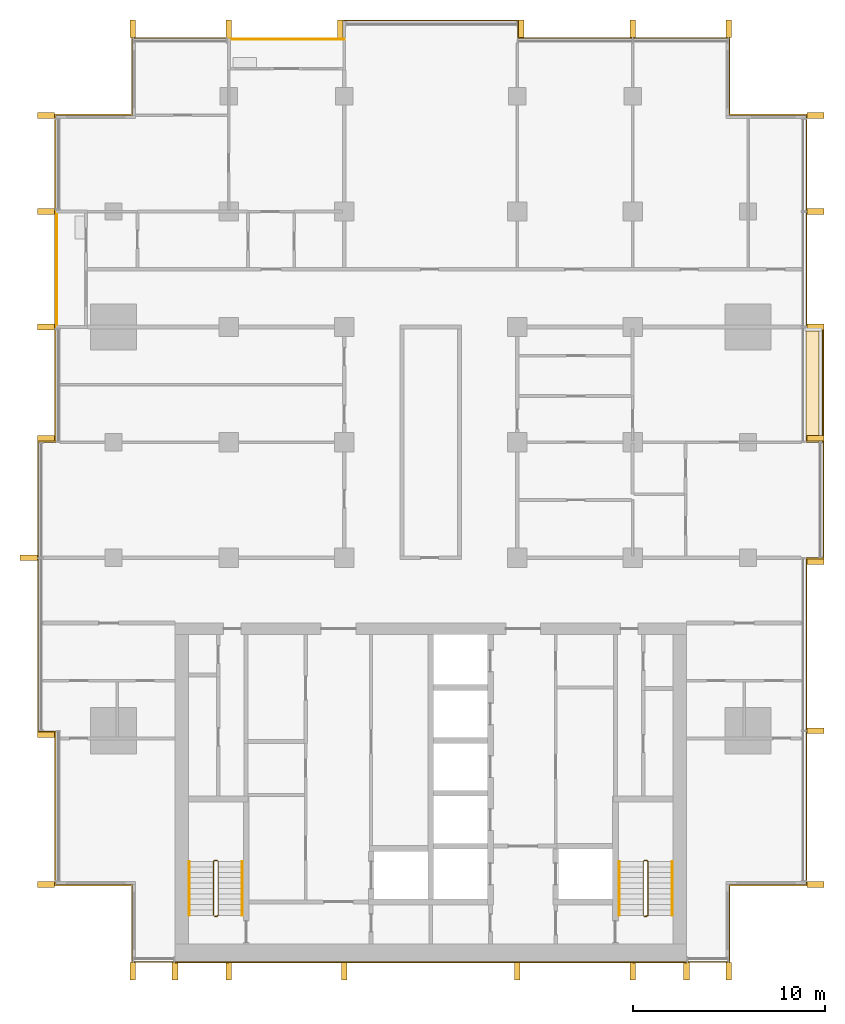
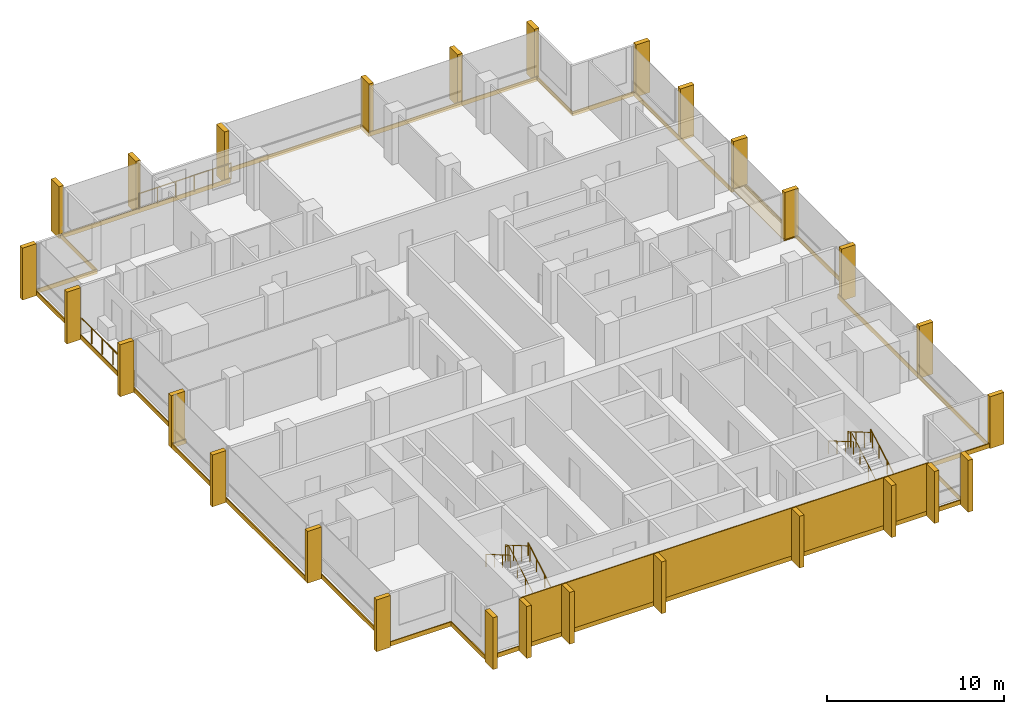
# One storey, part 16 of 16: 28 shading devices, 8 coverings, 8 railings.
"""IFC4 building model written with IfcOpenShell, lengths in metres."""

from ifc_helpers import new_model, si_unit, direction, frame, origin, origin_2d, place, context, subcontext, project, spatial, polyline, rectangle, circle, outline, extrude, material, layer, layer_set, type_object, element, save


model = new_model("IFC4")

# Units and contexts
model_context = context("Model", 3, precision=1e-05, world=origin(), true_north=direction((0.0, 1.0)))
body_context = subcontext(model_context, "Body", "Model", "MODEL_VIEW")
ifc_project = project(units=[si_unit("LENGTHUNIT", "METRE"), si_unit("AREAUNIT", "SQUARE_METRE"), si_unit("VOLUMEUNIT", "CUBIC_METRE"), si_unit("PLANEANGLEUNIT", "RADIAN"), si_unit("MASSUNIT", "GRAM", prefix="KILO")], contexts=[model_context])

# Site, building, storey
site_placement = place(None, origin())
site = spatial("IfcSite", under=ifc_project, at=site_placement, CompositionType="ELEMENT")
building_placement = place(site_placement, origin())
building = spatial("IfcBuilding", under=site, at=building_placement, Name="Finial Court Residences", CompositionType="ELEMENT")
storey_placement = place(building_placement, frame((0.0, 0.0, 185.300048828125)))
storey = spatial("IfcBuildingStorey", under=building, at=storey_placement, Name="L46", CompositionType="ELEMENT", Elevation=185.300048828125)

# Railings
ifc_material_1 = material(Name="Bronze anodised aluminium", Category="aluminium")
railing_type_1 = type_object("IfcRailingType", Name="Balcony guard 1100", PredefinedType="GUARDRAIL", material=ifc_material_1)
railing_1_placement = place(storey_placement, frame((-10.5, 22.449951171875, 0.0)))
element("IfcRailing", 1, at=railing_1_placement, inside=storey, type_object=railing_type_1, Name="E-L46-BALN2-R", PredefinedType="GUARDRAIL", context=body_context, shape_type="SweptSolid", body=[
    extrude(circle(Radius=0.02392578125, at=origin_2d()), frame((0.0, 0.0, 1.076171875), z_axis=(1.0, 0.0, 0.0), x_axis=(0.0, 1.0, 0.0)), (0.0, 0.0, 1.0), 6.0),
    extrude(circle(Radius=0.02099609375, at=origin_2d()), origin(), (0.0, 0.0, 1.0), 1.052001953125),
    extrude(circle(Radius=0.02099609375, at=origin_2d()), frame((1.199951171875, 0.0, 0.0)), (0.0, 0.0, 1.0), 1.052001953125),
    extrude(circle(Radius=0.02099609375, at=origin_2d()), frame((2.39990234375, 0.0, 0.0)), (0.0, 0.0, 1.0), 1.052001953125),
    extrude(circle(Radius=0.02099609375, at=origin_2d()), frame((3.60009765625, 0.0, 0.0)), (0.0, 0.0, 1.0), 1.052001953125),
    extrude(circle(Radius=0.02099609375, at=origin_2d()), frame((4.800048828125, 0.0, 0.0)), (0.0, 0.0, 1.0), 1.052001953125),
    extrude(circle(Radius=0.02099609375, at=origin_2d()), frame((6.0, 0.0, 0.0)), (0.0, 0.0, 1.0), 1.052001953125),
])
railing_2_placement = place(storey_placement, frame((-19.449951171875, 7.5, 0.0)))
element("IfcRailing", 2, at=railing_2_placement, inside=storey, type_object=railing_type_1, Name="E-L46-BALW5-R", PredefinedType="GUARDRAIL", context=body_context, shape_type="SweptSolid", body=[
    extrude(circle(Radius=0.02392578125, at=origin_2d()), frame((0.0, 0.0, 1.076171875), z_axis=(0.0, 1.0, 0.0), x_axis=(-1.0, 0.0, 0.0)), (0.0, 0.0, 1.0), 6.0),
    extrude(circle(Radius=0.02099609375, at=origin_2d()), origin(), (0.0, 0.0, 1.0), 1.052001953125),
    extrude(circle(Radius=0.02099609375, at=origin_2d()), frame((0.0, 1.199951171875, 0.0)), (0.0, 0.0, 1.0), 1.052001953125),
    extrude(circle(Radius=0.02099609375, at=origin_2d()), frame((0.0, 2.39990234375, 0.0)), (0.0, 0.0, 1.0), 1.052001953125),
    extrude(circle(Radius=0.02099609375, at=origin_2d()), frame((0.0, 3.60009765625, 0.0)), (0.0, 0.0, 1.0), 1.052001953125),
    extrude(circle(Radius=0.02099609375, at=origin_2d()), frame((0.0, 4.800048828125, 0.0)), (0.0, 0.0, 1.0), 1.052001953125),
    extrude(circle(Radius=0.02099609375, at=origin_2d()), frame((0.0, 6.0, 0.0)), (0.0, 0.0, 1.0), 1.052001953125),
])

# Coverings
ifc_material_2 = material(Name="Natural limestone", Category="masonry")
ifc_layer_1 = layer(ifc_material_2, 0.06005859375)
ifc_layer_set_1 = layer_set([ifc_layer_1], Name="Limestone cladding to the blind core face 60")
covering_type_1 = type_object("IfcCoveringType", Name="Limestone cladding to the blind core face 60", PredefinedType="CLADDING", material=ifc_layer_set_1)
covering_1_placement = place(storey_placement, origin())
element("IfcCovering", 3, at=covering_1_placement, inside=storey, type_object=covering_type_1, Name="E-L46-CLAD1", PredefinedType="CLADDING", context=body_context, shape_type="SweptSolid", body=[
    extrude(outline(polyline([(-10.5, -25.56005859375), (-10.5, -25.5), (-13.300048828125, -25.5), (-13.300048828125, -25.56005859375), (-10.5, -25.56005859375)])), origin(), (0.0, 0.0, 1.0), 3.300048828125),
])
covering_2_placement = place(storey_placement, origin())
element("IfcCovering", 4, at=covering_2_placement, inside=storey, type_object=covering_type_1, Name="E-L46-CLAD2", PredefinedType="CLADDING", context=body_context, shape_type="SweptSolid", body=[
    extrude(outline(polyline([(-4.5, -25.56005859375), (-4.5, -25.5), (-10.5, -25.5), (-10.5, -25.56005859375), (-4.5, -25.56005859375)])), origin(), (0.0, 0.0, 1.0), 3.300048828125),
])
covering_3_placement = place(storey_placement, origin())
element("IfcCovering", 5, at=covering_3_placement, inside=storey, type_object=covering_type_1, Name="E-L46-CLAD3", PredefinedType="CLADDING", context=body_context, shape_type="SweptSolid", body=[
    extrude(outline(polyline([(4.5, -25.56005859375), (4.5, -25.5), (-4.5, -25.5), (-4.5, -25.56005859375), (4.5, -25.56005859375)])), origin(), (0.0, 0.0, 1.0), 3.300048828125),
])
covering_4_placement = place(storey_placement, origin())
element("IfcCovering", 6, at=covering_4_placement, inside=storey, type_object=covering_type_1, Name="E-L46-CLAD4", PredefinedType="CLADDING", context=body_context, shape_type="SweptSolid", body=[
    extrude(outline(polyline([(10.5, -25.56005859375), (10.5, -25.5), (4.5, -25.5), (4.5, -25.56005859375), (10.5, -25.56005859375)])), origin(), (0.0, 0.0, 1.0), 3.300048828125),
])
covering_5_placement = place(storey_placement, origin())
element("IfcCovering", 7, at=covering_5_placement, inside=storey, type_object=covering_type_1, Name="E-L46-CLAD5", PredefinedType="CLADDING", context=body_context, shape_type="SweptSolid", body=[
    extrude(outline(polyline([(13.300048828125, -25.56005859375), (13.300048828125, -25.5), (10.5, -25.5), (10.5, -25.56005859375), (13.300048828125, -25.56005859375)])), origin(), (0.0, 0.0, 1.0), 3.300048828125),
])

# Shading devices
shading_device_type = type_object("IfcShadingDeviceType", Name="Limestone fin 300 x 900", PredefinedType="USERDEFINED", material=ifc_material_2)
for number, where, z_axis, x_axis, name in (
    (8, (-15.5, 23.010009765625, -0.300048828125), (0.0, 0.0, 1.0), (1.0, 0.0, 0.0), "E-L46-FIN-N1"),
    (9, (-10.5, 23.010009765625, -0.300048828125), (0.0, 0.0, 1.0), (1.0, 0.0, 0.0), "E-L46-FIN-N2"),
    (10, (-4.7099609375, 23.010009765625, -0.300048828125), (0.0, 0.0, 1.0), (1.0, 0.0, 0.0), "E-L46-FIN-N3"),
    (11, (4.7099609375, 23.010009765625, -0.300048828125), (0.0, 0.0, 1.0), (1.0, 0.0, 0.0), "E-L46-FIN-N4"),
    (12, (10.5, 23.010009765625, -0.300048828125), (0.0, 0.0, 1.0), (1.0, 0.0, 0.0), "E-L46-FIN-N5"),
    (13, (15.5, 23.010009765625, -0.300048828125), (0.0, 0.0, 1.0), (1.0, 0.0, 0.0), "E-L46-FIN-N6"),
):
    element("IfcShadingDevice", number, at=place(storey_placement, frame(where, z_axis=z_axis, x_axis=x_axis)), inside=storey, type_object=shading_device_type, Name=name, ObjectType="FIN", PredefinedType="USERDEFINED", context=body_context, shape_type="SweptSolid", body=[
        extrude(rectangle(XDim=0.300048828125, YDim=0.89990234375, at=origin_2d()), origin(), (0.0, 0.0, 1.0), 3.580078125),
    ])
for number, where, z_axis, x_axis, name in (
    (14, (20.010009765625, -21.5, -0.300048828125), (0.0, 0.0, 1.0), (1.0, 0.0, 0.0), "E-L46-FIN-E7"),
    (15, (20.010009765625, -13.5, -0.300048828125), (0.0, 0.0, 1.0), (1.0, 0.0, 0.0), "E-L46-FIN-E8"),
    (16, (20.010009765625, -4.7099609375, -0.300048828125), (0.0, 0.0, 1.0), (1.0, 0.0, 0.0), "E-L46-FIN-E9"),
):
    element("IfcShadingDevice", number, at=place(storey_placement, frame(where, z_axis=z_axis, x_axis=x_axis)), inside=storey, type_object=shading_device_type, Name=name, ObjectType="FIN", PredefinedType="USERDEFINED", context=body_context, shape_type="SweptSolid", body=[
        extrude(rectangle(XDim=0.89990234375, YDim=0.300048828125, at=origin_2d()), origin(), (0.0, 0.0, 1.0), 3.580078125),
    ])
for number, where, z_axis, x_axis, name in (
    (17, (20.010009765625, 1.7099609375, 0.0400390625), (0.0, 0.0, 1.0), (1.0, 0.0, 0.0), "E-L46-FIN-E10"),
    (18, (20.010009765625, 7.5, 0.0400390625), (0.0, 0.0, 1.0), (1.0, 0.0, 0.0), "E-L46-FIN-E11"),
):
    element("IfcShadingDevice", number, at=place(storey_placement, frame(where, z_axis=z_axis, x_axis=x_axis)), inside=storey, type_object=shading_device_type, Name=name, ObjectType="FIN", PredefinedType="USERDEFINED", context=body_context, shape_type="SweptSolid", body=[
        extrude(rectangle(XDim=0.89990234375, YDim=0.300048828125, at=origin_2d()), origin(), (0.0, 0.0, 1.0), 3.239990234375),
    ])
for number, where, z_axis, x_axis, name in (
    (19, (20.010009765625, 13.5, -0.300048828125), (0.0, 0.0, 1.0), (1.0, 0.0, 0.0), "E-L46-FIN-E12"),
    (20, (20.010009765625, 18.5, -0.300048828125), (0.0, 0.0, 1.0), (1.0, 0.0, 0.0), "E-L46-FIN-E13"),
):
    element("IfcShadingDevice", number, at=place(storey_placement, frame(where, z_axis=z_axis, x_axis=x_axis)), inside=storey, type_object=shading_device_type, Name=name, ObjectType="FIN", PredefinedType="USERDEFINED", context=body_context, shape_type="SweptSolid", body=[
        extrude(rectangle(XDim=0.89990234375, YDim=0.300048828125, at=origin_2d()), origin(), (0.0, 0.0, 1.0), 3.580078125),
    ])
for number, where, z_axis, x_axis, name in (
    (21, (-15.5, -26.010009765625, -0.300048828125), (0.0, 0.0, 1.0), (1.0, 0.0, 0.0), "E-L46-FIN-S14"),
    (22, (-13.300048828125, -26.010009765625, -0.300048828125), (0.0, 0.0, 1.0), (1.0, 0.0, 0.0), "E-L46-FIN-S15"),
    (23, (-10.5, -26.010009765625, -0.300048828125), (0.0, 0.0, 1.0), (1.0, 0.0, 0.0), "E-L46-FIN-S16"),
    (24, (-4.5, -26.010009765625, -0.300048828125), (0.0, 0.0, 1.0), (1.0, 0.0, 0.0), "E-L46-FIN-S17"),
    (25, (4.5, -26.010009765625, -0.300048828125), (0.0, 0.0, 1.0), (1.0, 0.0, 0.0), "E-L46-FIN-S18"),
    (26, (10.5, -26.010009765625, -0.300048828125), (0.0, 0.0, 1.0), (1.0, 0.0, 0.0), "E-L46-FIN-S19"),
    (27, (13.300048828125, -26.010009765625, -0.300048828125), (0.0, 0.0, 1.0), (1.0, 0.0, 0.0), "E-L46-FIN-S20"),
    (28, (15.5, -26.010009765625, -0.300048828125), (0.0, 0.0, 1.0), (1.0, 0.0, 0.0), "E-L46-FIN-S21"),
):
    element("IfcShadingDevice", number, at=place(storey_placement, frame(where, z_axis=z_axis, x_axis=x_axis)), inside=storey, type_object=shading_device_type, Name=name, ObjectType="FIN", PredefinedType="USERDEFINED", context=body_context, shape_type="SweptSolid", body=[
        extrude(rectangle(XDim=0.300048828125, YDim=0.89990234375, at=origin_2d()), origin(), (0.0, 0.0, 1.0), 3.580078125),
    ])
for number, where, z_axis, x_axis, name in (
    (29, (-20.010009765625, -21.5, -0.300048828125), (0.0, 0.0, 1.0), (1.0, 0.0, 0.0), "E-L46-FIN-W22"),
    (30, (-20.010009765625, -13.7099609375, -0.300048828125), (0.0, 0.0, 1.0), (1.0, 0.0, 0.0), "E-L46-FIN-W23"),
    (31, (-20.909912109375, -4.5, -0.300048828125), (0.0, 0.0, 1.0), (1.0, 0.0, 0.0), "E-L46-FIN-W24"),
    (32, (-20.010009765625, 1.7099609375, -0.300048828125), (0.0, 0.0, 1.0), (1.0, 0.0, 0.0), "E-L46-FIN-W25"),
    (33, (-20.010009765625, 7.5, -0.300048828125), (0.0, 0.0, 1.0), (1.0, 0.0, 0.0), "E-L46-FIN-W26"),
    (34, (-20.010009765625, 13.5, -0.300048828125), (0.0, 0.0, 1.0), (1.0, 0.0, 0.0), "E-L46-FIN-W27"),
    (35, (-20.010009765625, 18.5, -0.300048828125), (0.0, 0.0, 1.0), (1.0, 0.0, 0.0), "E-L46-FIN-W28"),
):
    element("IfcShadingDevice", number, at=place(storey_placement, frame(where, z_axis=z_axis, x_axis=x_axis)), inside=storey, type_object=shading_device_type, Name=name, ObjectType="FIN", PredefinedType="USERDEFINED", context=body_context, shape_type="SweptSolid", body=[
        extrude(rectangle(XDim=0.89990234375, YDim=0.300048828125, at=origin_2d()), origin(), (0.0, 0.0, 1.0), 3.580078125),
    ])

# Coverings
ifc_material_3 = material(Name="Pale limestone", Category="masonry")
ifc_layer_2 = layer(ifc_material_3, 0.06005859375)
ifc_layer_set_2 = layer_set([ifc_layer_2], Name="Pale limestone slab-edge band 60")
covering_type_2 = type_object("IfcCoveringType", Name="Pale limestone slab-edge band 60", PredefinedType="CLADDING", material=ifc_layer_set_2)
covering_6_placement = place(storey_placement, frame((0.0, 0.0, -0.300048828125)))
element("IfcCovering", 36, at=covering_6_placement, inside=storey, type_object=covering_type_2, Name="E-L46-BAND1", PredefinedType="CLADDING", context=body_context, shape_type="SweptSolid", body=[
    extrude(outline(polyline([(-19.56005859375, 18.56005859375), (-15.56005859375, 18.56005859375), (-15.56005859375, 22.56005859375), (-4.56005859375, 22.56005859375), (-4.56005859375, 23.4599609375), (4.56005859375, 23.4599609375), (4.56005859375, 22.56005859375), (15.56005859375, 22.56005859375), (15.56005859375, 18.56005859375), (19.56005859375, 18.56005859375), (19.56005859375, 7.56005859375), (20.4599609375, 7.56005859375), (20.4599609375, -4.56005859375), (19.56005859375, -4.56005859375), (19.56005859375, -21.56005859375), (15.56005859375, -21.56005859375), (15.56005859375, -25.56005859375), (-15.56005859375, -25.56005859375), (-15.56005859375, -21.56005859375), (-19.56005859375, -21.56005859375), (-19.56005859375, -13.56005859375), (-20.4599609375, -13.56005859375), (-20.4599609375, 1.56005859375), (-19.56005859375, 1.56005859375), (-19.56005859375, 18.56005859375)]), holes=[polyline([(-20.39990234375, 1.5), (-20.39990234375, -4.5), (-20.39990234375, -13.5), (-19.5, -13.5), (-19.5, -21.5), (-15.5, -21.5), (-15.5, -25.5), (15.5, -25.5), (15.5, -21.5), (19.5, -21.5), (19.5, -4.5), (20.39990234375, -4.5), (20.39990234375, 1.5), (20.39990234375, 7.5), (19.5, 7.5), (19.5, 18.5), (15.5, 18.5), (15.5, 22.5), (4.5, 22.5), (4.5, 23.39990234375), (-4.5, 23.39990234375), (-4.5, 22.5), (-10.5, 22.5), (-15.5, 22.5), (-15.5, 18.5), (-19.5, 18.5), (-19.5, 13.5), (-19.5, 7.5), (-19.5, 1.5), (-20.39990234375, 1.5)])]), origin(), (0.0, 0.0, 1.0), 0.300048828125),
])
ifc_material_4 = material(Name="Bitumen membrane")
ifc_layer_3 = layer(ifc_material_4, 0.0400390625)
ifc_layer_set_3 = layer_set([ifc_layer_3], Name="Push box roofing, bitumen membrane 40")
covering_type_3 = type_object("IfcCoveringType", Name="Push box roofing, bitumen membrane 40", PredefinedType="ROOFING", material=ifc_layer_set_3)
covering_7_placement = place(storey_placement, origin())
element("IfcCovering", 37, at=covering_7_placement, inside=storey, type_object=covering_type_3, Name="E-L46-LED1", PredefinedType="ROOFING", context=body_context, shape_type="SweptSolid", body=[
    extrude(outline(polyline([(19.5, 7.300048828125), (20.199951171875, 7.300048828125), (20.199951171875, 1.5), (19.5, 1.5), (19.5, 7.300048828125)])), origin(), (0.0, 0.0, 1.0), 0.0400390625),
])
covering_8_placement = place(storey_placement, origin())
element("IfcCovering", 38, at=covering_8_placement, inside=storey, type_object=covering_type_3, Name="E-L46-LED1b", PredefinedType="ROOFING", context=body_context, shape_type="SweptSolid", body=[
    extrude(outline(polyline([(19.5, 7.5), (20.39990234375, 7.5), (20.39990234375, 1.5), (20.35009765625, 1.5), (20.35009765625, 7.300048828125), (20.35009765625, 7.300048828125), (20.35009765625, 7.449951171875), (19.5, 7.449951171875), (19.5, 7.5)])), origin(), (0.0, 0.0, 1.0), 0.0400390625),
])

# Railings
ifc_material_5 = material(Name="Stainless steel railing", Category="steel")
railing_type_2 = type_object("IfcRailingType", Name="Stair guard 1100", PredefinedType="GUARDRAIL", material=ifc_material_5)
railing_3_placement = place(storey_placement, frame((-11.10009765625, -23.14990234375, 0.0)))
element("IfcRailing", 39, at=railing_3_placement, inside=storey, type_object=railing_type_2, Name="L46 ST-1 stair guard 1", PredefinedType="GUARDRAIL", context=body_context, shape_type="SweptSolid", body=[
    extrude(circle(Radius=0.02392578125, at=origin_2d()), frame((0.0, 0.0, 1.076171875), z_axis=(-1.0, 0.0, 0.0), x_axis=(0.0, -1.0, 0.0)), (0.0, 0.0, 1.0), 0.14990234375),
    extrude(circle(Radius=0.02392578125, at=origin_2d()), frame((-0.14990234375, 0.0, 1.076171875), z_axis=(0.760004195007, 0.189305074214, 0.621737253547), x_axis=(-0.241699205484, 0.970351222016, 0.0)), (0.0, 0.0, 1.0), 0.26318359375),
    extrude(circle(Radius=0.02392578125, at=origin_2d()), frame((0.050048828125, 0.0498046875, 1.23974609375), z_axis=(0.0, 0.863360870873, 0.504586966384), x_axis=(-1.0, 0.0, 0.0)), (0.0, 0.0, 1.0), 3.2431640625),
    extrude(circle(Radius=0.02392578125, at=origin_2d()), frame((0.050048828125, 2.849853515625, 2.8759765625), z_axis=(-0.707106781187, 0.707106781187, 0.0), x_axis=(-0.707106781187, -0.707106781187, 0.0)), (0.0, 0.0, 1.0), 0.07080078125),
    extrude(circle(Radius=0.02392578125, at=origin_2d()), frame((0.0, 2.89990234375, 2.8759765625), z_axis=(-1.0, 0.0, 0.0), x_axis=(0.0, -1.0, 0.0)), (0.0, 0.0, 1.0), 0.14990234375),
    extrude(circle(Radius=0.02392578125, at=origin_2d()), frame((-0.14990234375, 2.89990234375, 2.8759765625), z_axis=(-0.280808744504, -0.280808744504, 0.917765164963), x_axis=(0.707106781187, -0.707106781187, 0.0)), (0.0, 0.0, 1.0), 0.17822265625),
    extrude(circle(Radius=0.02392578125, at=origin_2d()), frame((-0.199951171875, 2.849853515625, 3.03955078125), z_axis=(0.0, -0.863393664356, 0.504530851732), x_axis=(1.0, 0.0, 0.0)), (0.0, 0.0, 1.0), 3.2431640625),
    extrude(circle(Radius=0.02099609375, at=origin_2d()), origin(), (0.0, 0.0, 1.0), 1.052001953125),
    extrude(circle(Radius=0.02099609375, at=origin_2d()), frame((-0.14990234375, 0.0, 0.0)), (0.0, 0.0, 1.0), 1.052001953125),
    extrude(circle(Radius=0.02099609375, at=origin_2d()), frame((0.050048828125, 0.0498046875, 0.16357421875)), (0.0, 0.0, 1.0), 1.052001953125),
    extrude(circle(Radius=0.02099609375, at=origin_2d()), frame((0.050048828125, 0.983154296875, 0.708984375)), (0.0, 0.0, 1.0), 1.052001953125),
    extrude(circle(Radius=0.02099609375, at=origin_2d()), frame((0.050048828125, 1.91650390625, 1.254638671875)), (0.0, 0.0, 1.0), 1.052001953125),
    extrude(circle(Radius=0.02099609375, at=origin_2d()), frame((0.050048828125, 2.849853515625, 1.800048828125)), (0.0, 0.0, 1.0), 1.052001953125),
    extrude(circle(Radius=0.02099609375, at=origin_2d()), frame((0.0, 2.89990234375, 1.800048828125)), (0.0, 0.0, 1.0), 1.052001953125),
    extrude(circle(Radius=0.02099609375, at=origin_2d()), frame((-0.14990234375, 2.89990234375, 1.800048828125)), (0.0, 0.0, 1.0), 1.052001953125),
    extrude(circle(Radius=0.02099609375, at=origin_2d()), frame((-0.199951171875, 2.849853515625, 1.963623046875)), (0.0, 0.0, 1.0), 1.052001953125),
    extrude(circle(Radius=0.02099609375, at=origin_2d()), frame((-0.199951171875, 1.91650390625, 2.509033203125)), (0.0, 0.0, 1.0), 1.052001953125),
    extrude(circle(Radius=0.02099609375, at=origin_2d()), frame((-0.199951171875, 0.983154296875, 3.054443359375)), (0.0, 0.0, 1.0), 1.052001953125),
    extrude(circle(Radius=0.02099609375, at=origin_2d()), frame((-0.199951171875, 0.0498046875, 3.599853515625)), (0.0, 0.0, 1.0), 1.052001953125),
])
railing_4_placement = place(storey_placement, frame((11.25, -23.14990234375, 0.0)))
element("IfcRailing", 40, at=railing_4_placement, inside=storey, type_object=railing_type_2, Name="L46 ST-2 stair guard 1", PredefinedType="GUARDRAIL", context=body_context, shape_type="SweptSolid", body=[
    extrude(circle(Radius=0.02392578125, at=origin_2d()), frame((0.0, 0.0, 1.076171875), z_axis=(-1.0, 0.0, 0.0), x_axis=(0.0, -1.0, 0.0)), (0.0, 0.0, 1.0), 0.14990234375),
    extrude(circle(Radius=0.02392578125, at=origin_2d()), frame((-0.14990234375, 0.0, 1.076171875), z_axis=(0.760004195007, 0.189305074214, 0.621737253547), x_axis=(-0.241699205484, 0.970351222016, 0.0)), (0.0, 0.0, 1.0), 0.26318359375),
    extrude(circle(Radius=0.02392578125, at=origin_2d()), frame((0.050048828125, 0.0498046875, 1.23974609375), z_axis=(0.0, 0.863360870873, 0.504586966384), x_axis=(-1.0, 0.0, 0.0)), (0.0, 0.0, 1.0), 3.2431640625),
    extrude(circle(Radius=0.02392578125, at=origin_2d()), frame((0.050048828125, 2.849853515625, 2.8759765625), z_axis=(-0.707106781187, 0.707106781187, 0.0), x_axis=(-0.707106781187, -0.707106781187, 0.0)), (0.0, 0.0, 1.0), 0.07080078125),
    extrude(circle(Radius=0.02392578125, at=origin_2d()), frame((0.0, 2.89990234375, 2.8759765625), z_axis=(-1.0, 0.0, 0.0), x_axis=(0.0, -1.0, 0.0)), (0.0, 0.0, 1.0), 0.14990234375),
    extrude(circle(Radius=0.02392578125, at=origin_2d()), frame((-0.14990234375, 2.89990234375, 2.8759765625), z_axis=(-0.280808744504, -0.280808744504, 0.917765164963), x_axis=(0.707106781187, -0.707106781187, 0.0)), (0.0, 0.0, 1.0), 0.17822265625),
    extrude(circle(Radius=0.02392578125, at=origin_2d()), frame((-0.199951171875, 2.849853515625, 3.03955078125), z_axis=(0.0, -0.863393664356, 0.504530851732), x_axis=(1.0, 0.0, 0.0)), (0.0, 0.0, 1.0), 3.2431640625),
    extrude(circle(Radius=0.02099609375, at=origin_2d()), origin(), (0.0, 0.0, 1.0), 1.052001953125),
    extrude(circle(Radius=0.02099609375, at=origin_2d()), frame((-0.14990234375, 0.0, 0.0)), (0.0, 0.0, 1.0), 1.052001953125),
    extrude(circle(Radius=0.02099609375, at=origin_2d()), frame((0.050048828125, 0.0498046875, 0.16357421875)), (0.0, 0.0, 1.0), 1.052001953125),
    extrude(circle(Radius=0.02099609375, at=origin_2d()), frame((0.050048828125, 0.983154296875, 0.708984375)), (0.0, 0.0, 1.0), 1.052001953125),
    extrude(circle(Radius=0.02099609375, at=origin_2d()), frame((0.050048828125, 1.91650390625, 1.254638671875)), (0.0, 0.0, 1.0), 1.052001953125),
    extrude(circle(Radius=0.02099609375, at=origin_2d()), frame((0.050048828125, 2.849853515625, 1.800048828125)), (0.0, 0.0, 1.0), 1.052001953125),
    extrude(circle(Radius=0.02099609375, at=origin_2d()), frame((0.0, 2.89990234375, 1.800048828125)), (0.0, 0.0, 1.0), 1.052001953125),
    extrude(circle(Radius=0.02099609375, at=origin_2d()), frame((-0.14990234375, 2.89990234375, 1.800048828125)), (0.0, 0.0, 1.0), 1.052001953125),
    extrude(circle(Radius=0.02099609375, at=origin_2d()), frame((-0.199951171875, 2.849853515625, 1.963623046875)), (0.0, 0.0, 1.0), 1.052001953125),
    extrude(circle(Radius=0.02099609375, at=origin_2d()), frame((-0.199951171875, 1.91650390625, 2.509033203125)), (0.0, 0.0, 1.0), 1.052001953125),
    extrude(circle(Radius=0.02099609375, at=origin_2d()), frame((-0.199951171875, 0.983154296875, 3.054443359375)), (0.0, 0.0, 1.0), 1.052001953125),
    extrude(circle(Radius=0.02099609375, at=origin_2d()), frame((-0.199951171875, 0.0498046875, 3.599853515625)), (0.0, 0.0, 1.0), 1.052001953125),
])
railing_type_3 = type_object("IfcRailingType", Name="Stair handrail 900", PredefinedType="HANDRAIL", material=ifc_material_5)
railing_5_placement = place(storey_placement, frame((-9.800048828125, -23.10009765625, 0.16357421875)))
element("IfcRailing", 41, at=railing_5_placement, inside=storey, type_object=railing_type_3, Name="L46 ST-1 stair handrail 1", PredefinedType="HANDRAIL", context=body_context, shape_type="SweptSolid", body=[
    extrude(circle(Radius=0.02392578125, at=origin_2d()), frame((0.0, 0.0, 0.8759765625), z_axis=(0.0, 0.863360870873, 0.504586966384), x_axis=(-1.0, 0.0, 0.0)), (0.0, 0.0, 1.0), 3.2431640625),
    extrude(circle(Radius=0.02099609375, at=origin_2d()), origin(), (0.0, 0.0, 1.0), 0.851806640625),
    extrude(circle(Radius=0.02099609375, at=origin_2d()), frame((0.0, 0.933349609375, 0.54541015625)), (0.0, 0.0, 1.0), 0.851806640625),
    extrude(circle(Radius=0.02099609375, at=origin_2d()), frame((0.0, 1.86669921875, 1.091064453125)), (0.0, 0.0, 1.0), 0.851806640625),
    extrude(circle(Radius=0.02099609375, at=origin_2d()), frame((0.0, 2.800048828125, 1.636474609375)), (0.0, 0.0, 1.0), 0.851806640625),
])
railing_6_placement = place(storey_placement, frame((-12.550048828125, -20.300048828125, 1.963623046875)))
element("IfcRailing", 42, at=railing_6_placement, inside=storey, type_object=railing_type_3, Name="L46 ST-1 stair handrail 2", PredefinedType="HANDRAIL", context=body_context, shape_type="SweptSolid", body=[
    extrude(circle(Radius=0.02392578125, at=origin_2d()), frame((0.0, 0.0, 0.8759765625), z_axis=(0.0, -0.863393664356, 0.504530851732), x_axis=(1.0, 0.0, 0.0)), (0.0, 0.0, 1.0), 3.2431640625),
    extrude(circle(Radius=0.02099609375, at=origin_2d()), origin(), (0.0, 0.0, 1.0), 0.851806640625),
    extrude(circle(Radius=0.02099609375, at=origin_2d()), frame((0.0, -0.933349609375, 0.54541015625)), (0.0, 0.0, 1.0), 0.851806640625),
    extrude(circle(Radius=0.02099609375, at=origin_2d()), frame((0.0, -1.86669921875, 1.0908203125)), (0.0, 0.0, 1.0), 0.851806640625),
    extrude(circle(Radius=0.02099609375, at=origin_2d()), frame((0.0, -2.800048828125, 1.63623046875)), (0.0, 0.0, 1.0), 0.851806640625),
])
railing_7_placement = place(storey_placement, frame((12.550048828125, -23.10009765625, 0.16357421875)))
element("IfcRailing", 43, at=railing_7_placement, inside=storey, type_object=railing_type_3, Name="L46 ST-2 stair handrail 1", PredefinedType="HANDRAIL", context=body_context, shape_type="SweptSolid", body=[
    extrude(circle(Radius=0.02392578125, at=origin_2d()), frame((0.0, 0.0, 0.8759765625), z_axis=(0.0, 0.863360870873, 0.504586966384), x_axis=(-1.0, 0.0, 0.0)), (0.0, 0.0, 1.0), 3.2431640625),
    extrude(circle(Radius=0.02099609375, at=origin_2d()), origin(), (0.0, 0.0, 1.0), 0.851806640625),
    extrude(circle(Radius=0.02099609375, at=origin_2d()), frame((0.0, 0.933349609375, 0.54541015625)), (0.0, 0.0, 1.0), 0.851806640625),
    extrude(circle(Radius=0.02099609375, at=origin_2d()), frame((0.0, 1.86669921875, 1.091064453125)), (0.0, 0.0, 1.0), 0.851806640625),
    extrude(circle(Radius=0.02099609375, at=origin_2d()), frame((0.0, 2.800048828125, 1.636474609375)), (0.0, 0.0, 1.0), 0.851806640625),
])
railing_8_placement = place(storey_placement, frame((9.800048828125, -20.300048828125, 1.963623046875)))
element("IfcRailing", 44, at=railing_8_placement, inside=storey, type_object=railing_type_3, Name="L46 ST-2 stair handrail 2", PredefinedType="HANDRAIL", context=body_context, shape_type="SweptSolid", body=[
    extrude(circle(Radius=0.02392578125, at=origin_2d()), frame((0.0, 0.0, 0.8759765625), z_axis=(0.0, -0.863393664356, 0.504530851732), x_axis=(1.0, 0.0, 0.0)), (0.0, 0.0, 1.0), 3.2431640625),
    extrude(circle(Radius=0.02099609375, at=origin_2d()), origin(), (0.0, 0.0, 1.0), 0.851806640625),
    extrude(circle(Radius=0.02099609375, at=origin_2d()), frame((0.0, -0.933349609375, 0.54541015625)), (0.0, 0.0, 1.0), 0.851806640625),
    extrude(circle(Radius=0.02099609375, at=origin_2d()), frame((0.0, -1.86669921875, 1.0908203125)), (0.0, 0.0, 1.0), 0.851806640625),
    extrude(circle(Radius=0.02099609375, at=origin_2d()), frame((0.0, -2.800048828125, 1.63623046875)), (0.0, 0.0, 1.0), 0.851806640625),
])

save(model, "model.ifc")
